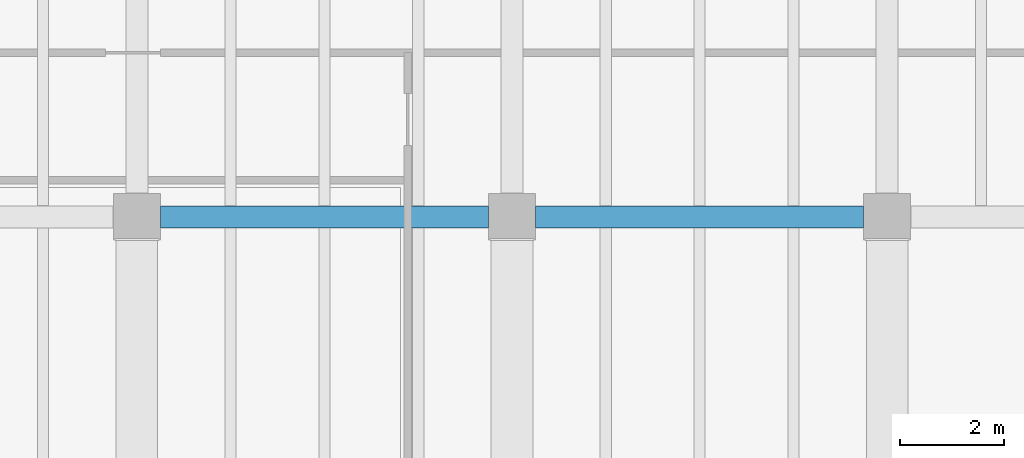
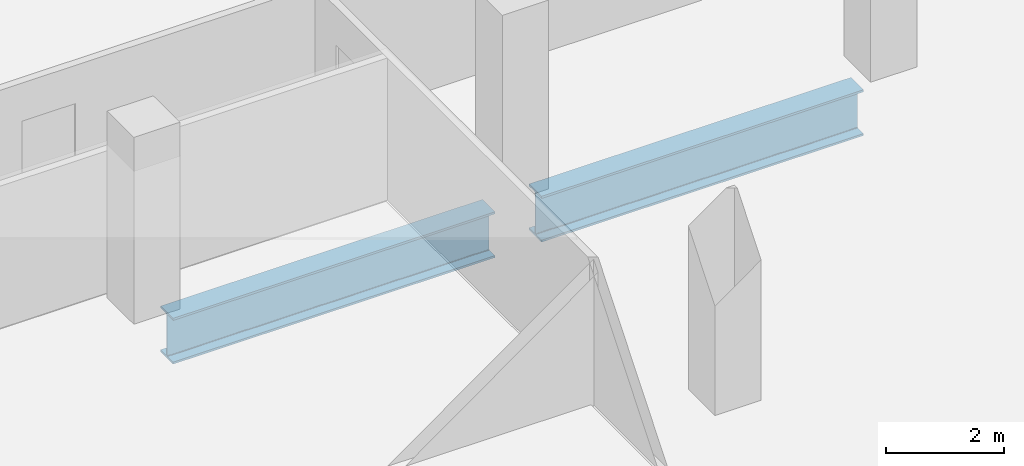
# One storey, part 19 of 34: 2 beams.
"""IFC4 building model written with IfcOpenShell, lengths in metres."""

from ifc_helpers import new_model, si_unit, direction, frame, origin, origin_2d, place, context, subcontext, project, spatial, i_section, extrude, material, material_profile, profile_set, type_object, element, save


model = new_model("IFC4")

# Units and contexts
model_context = context("Model", 3, precision=1e-05, world=origin(), true_north=direction((0.0, 1.0)))
body_context = subcontext(model_context, "Body", "Model", "MODEL_VIEW")
ifc_project = project(units=[si_unit("LENGTHUNIT", "METRE"), si_unit("AREAUNIT", "SQUARE_METRE"), si_unit("VOLUMEUNIT", "CUBIC_METRE"), si_unit("PLANEANGLEUNIT", "RADIAN"), si_unit("MASSUNIT", "GRAM", prefix="KILO")], contexts=[model_context])

# Site, building, storey
site_placement = place(None, origin())
site = spatial("IfcSite", under=ifc_project, at=site_placement, CompositionType="ELEMENT")
building_placement = place(site_placement, origin())
building = spatial("IfcBuilding", under=site, at=building_placement, Name="Cobrela Telecom Tower", CompositionType="ELEMENT")
storey_placement = place(building_placement, frame((0.0, 0.0, 5.25)))
storey = spatial("IfcBuildingStorey", under=building, at=storey_placement, Name="L01", CompositionType="ELEMENT", Elevation=5.25)

# Beams
ifc_material = material(Name="Steel ASTM A992 Grade 50", Category="steel")
ifc_material_profile = material_profile(ifc_material, i_section(OverallWidth=0.424072265625, OverallDepth=0.947021484375, WebThickness=0.02392578125, FlangeThickness=0.042724609375, FilletRadius=0.02392578125, at=origin_2d()), Name="W36X302")
ifc_profile_set = profile_set([ifc_material_profile], Name="Steel ASTM A992 Grade 50")
beam_type = type_object("IfcBeamType", Name="BM-GIRD-01", PredefinedType="USERDEFINED", material=ifc_profile_set)
for number, where, z_axis, x_axis, name in (
    (1, (65.2548828125, 14.39990234375, -0.7734375), (1.0, 0.0, 0.0), (0.0, 1.0, 0.0), "L01 Primary Girder X20"),
    (2, (72.455078125, 14.39990234375, -0.7734375), (1.0, 0.0, 0.0), (0.0, 1.0, 0.0), "L01 Primary Girder X21"),
):
    element("IfcBeam", number, at=place(storey_placement, frame(where, z_axis=z_axis, x_axis=x_axis)), inside=storey, type_object=beam_type, Name=name, ObjectType="GIRDER", PredefinedType="USERDEFINED", context=body_context, shape_type="SweptSolid", body=[
        extrude(i_section(OverallWidth=0.424072265625, OverallDepth=0.947021484375, WebThickness=0.02392578125, FlangeThickness=0.042724609375, FilletRadius=0.02392578125, at=origin_2d()), origin(), (0.0, 0.0, 1.0), 6.2900390625),
    ])

save(model, "model.ifc")
